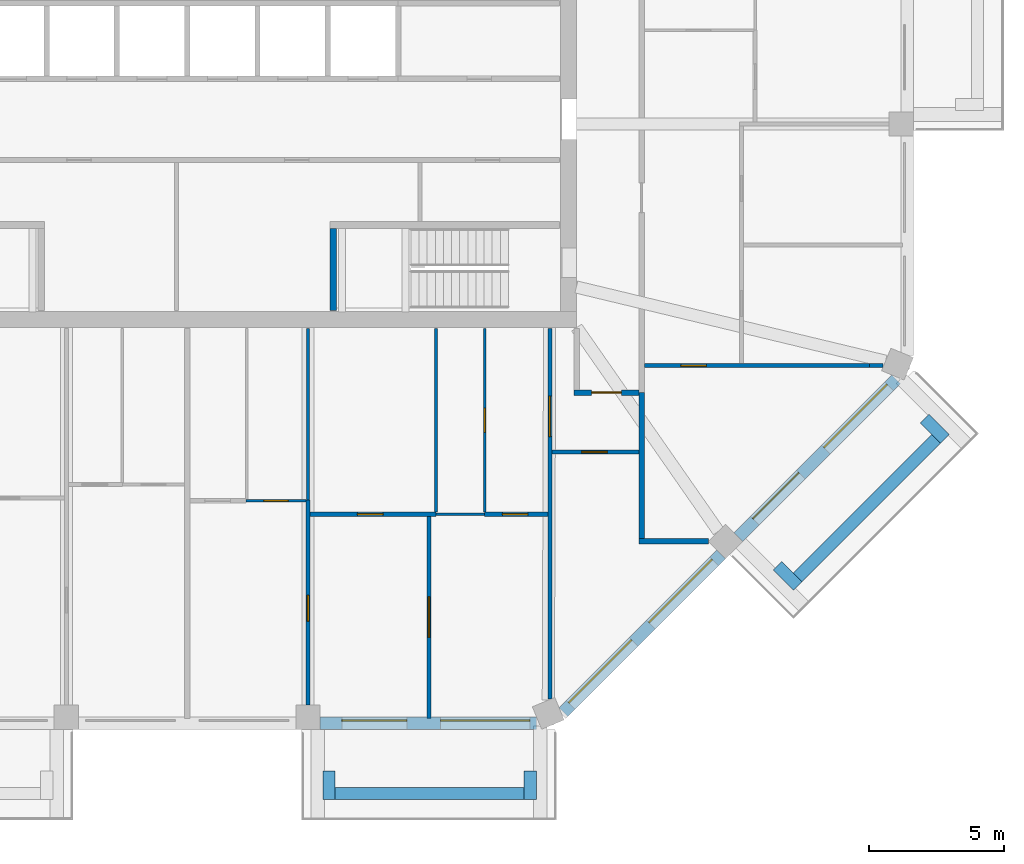
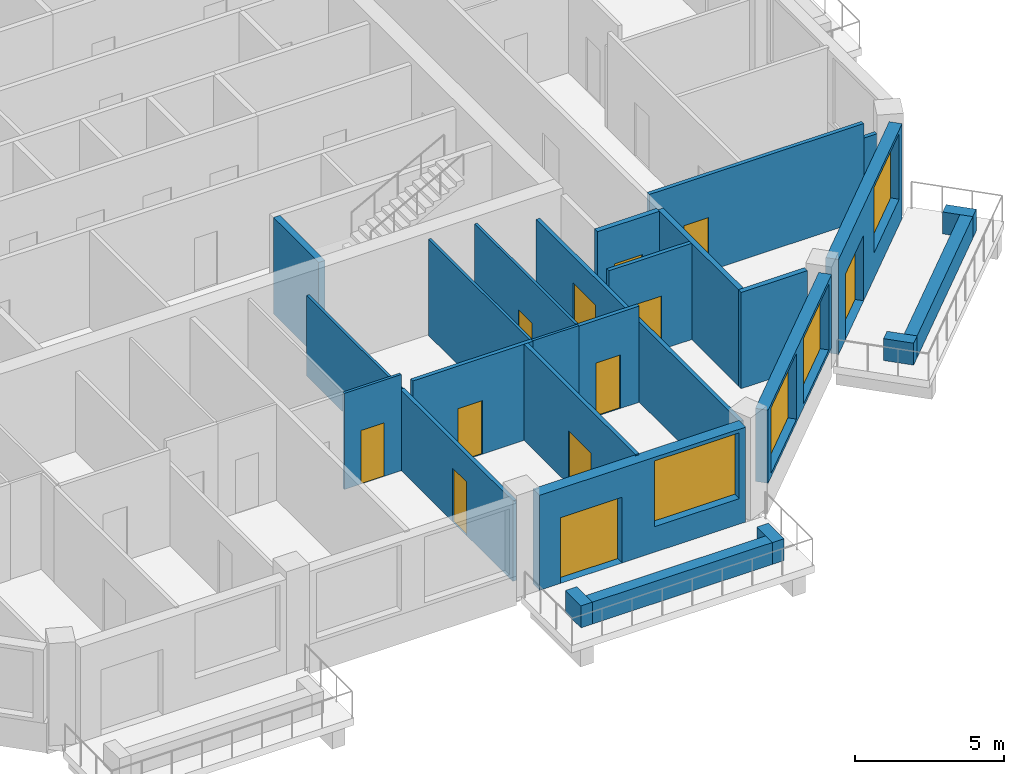
# One storey, part 5 of 13: 26 walls, 12 doors, 4 windows, 16 openings.
"""IFC4 building model written with IfcOpenShell, lengths in metres."""

from ifc_helpers import new_model, si_unit, direction, frame, frame_2d, origin, place, context, subcontext, project, spatial, rectangle, extrude, material, layer, layer_set, type_object, element, fill, save


model = new_model("IFC4")

# Units and contexts
model_context = context("Model", 3, precision=1e-05, world=origin(), true_north=direction((0.0, 1.0)))
body_context = subcontext(model_context, "Body", "Model", "MODEL_VIEW")
ifc_project = project(units=[si_unit("LENGTHUNIT", "METRE"), si_unit("AREAUNIT", "SQUARE_METRE"), si_unit("VOLUMEUNIT", "CUBIC_METRE"), si_unit("PLANEANGLEUNIT", "RADIAN"), si_unit("MASSUNIT", "GRAM", prefix="KILO")], contexts=[model_context])

# Site, building, storey
site_placement = place(None, origin())
site = spatial("IfcSite", under=ifc_project, at=site_placement, CompositionType="ELEMENT")
building_placement = place(site_placement, origin())
building = spatial("IfcBuilding", under=site, at=building_placement, Name="Msitu Wima Residences", CompositionType="ELEMENT")
storey_placement = place(building_placement, frame((0.0, 0.0, 281.10009765625)))
storey = spatial("IfcBuildingStorey", under=building, at=storey_placement, Name="L65", CompositionType="ELEMENT", Elevation=281.10009765625)

# Walls
ifc_material_1 = material(Name="Facing brick")
ifc_layer_1 = layer(ifc_material_1, 0.06494140625, Name="Facing brick")
ifc_material_2 = material(Name="Concrete C40/50", Category="concrete")
ifc_layer_2 = layer(ifc_material_2, 0.156005859375, Name="Concrete C40/50")
ifc_material_3 = material(Name="Waterproofing membrane")
ifc_layer_3 = layer(ifc_material_3, 0.00390625, Name="Waterproofing membrane")
ifc_material_4 = material(Name="Planting soil and planting")
ifc_layer_4 = layer(ifc_material_4, 0.22509765625, Name="Planting soil and planting")
ifc_layer_set_1 = layer_set([ifc_layer_1, ifc_layer_2, ifc_layer_3, ifc_layer_4], Name="Concrete C40/50")
wall_type_1 = type_object("IfcWallType", Name="Balcony planter PLANTER PL450", PredefinedType="USERDEFINED", material=ifc_layer_set_1)
wall_1_placement = place(storey_placement, frame((5.468505859375, -29.22509765625, 0.0), z_axis=(0.0, 0.0, 1.0), x_axis=(1.0, 0.0, 0.0)))
element("IfcWall", 1, at=wall_1_placement, inside=storey, type_object=wall_type_1, Name="Balcony planter S2 L65", ObjectType="PLANTER", PredefinedType="USERDEFINED", context=body_context, shape_type="SweptSolid", body=[
    extrude(rectangle(XDim=6.9873046875, YDim=0.449951171875, at=frame_2d((3.49365234375, 0.0))), origin(), (0.0, 0.0, 1.0), 0.89990234375),
])
for number, where, z_axis, x_axis, name in (
    (2, (5.24365234375, -28.39990234375, 0.0), (0.0, 0.0, 1.0), (0.0, -1.0, 0.0), "Balcony planter S2 L65"),
    (3, (12.680908203125, -28.39990234375, 0.0), (0.0, 0.0, 1.0), (0.0, -1.0, 0.0), "Balcony planter S2 L65"),
):
    element("IfcWall", number, at=place(storey_placement, frame(where, z_axis=z_axis, x_axis=x_axis)), inside=storey, type_object=wall_type_1, Name=name, ObjectType="PLANTER", PredefinedType="USERDEFINED", context=body_context, shape_type="SweptSolid", body=[
        extrude(rectangle(XDim=1.050048828125, YDim=0.449951171875, at=frame_2d((0.52490234375, 0.0))), origin(), (0.0, 0.0, 1.0), 0.89990234375),
    ])
wall_2_placement = place(storey_placement, frame((22.572265625, -21.228759765625, 0.0), z_axis=(0.0, 0.0, 1.0), x_axis=(0.707106781187, 0.707106781187, 0.0)))
element("IfcWall", 4, at=wall_2_placement, inside=storey, type_object=wall_type_1, Name="Balcony planter SE1 L65", ObjectType="PLANTER", PredefinedType="USERDEFINED", context=body_context, shape_type="SweptSolid", body=[
    extrude(rectangle(XDim=7.23828125, YDim=0.449951171875, at=frame_2d((3.619140625, 0.0))), origin(), (0.0, 0.0, 1.0), 0.89990234375),
])
for number, where, z_axis, x_axis, name in (
    (5, (21.829833984375, -20.804443359375, 0.0), (0.0, 0.0, 1.0), (0.707106781187, -0.707106781187, 0.0), "Balcony planter SE1 L65"),
    (6, (27.26611328125, -15.3681640625, 0.0), (0.0, 0.0, 1.0), (0.707223014731, -0.706990528533, 0.0), "Balcony planter SE1 L65"),
):
    element("IfcWall", number, at=place(storey_placement, frame(where, z_axis=z_axis, x_axis=x_axis)), inside=storey, type_object=wall_type_1, Name=name, ObjectType="PLANTER", PredefinedType="USERDEFINED", context=body_context, shape_type="SweptSolid", body=[
        extrude(rectangle(XDim=1.050048828125, YDim=0.449951171875, at=frame_2d((0.52490234375, 0.0))), origin(), (0.0, 0.0, 1.0), 0.89990234375),
    ])

# Wall, openings, door, window
ifc_material_5 = material(Name="Brick (red buff mix)", Category="masonry")
ifc_layer_5 = layer(ifc_material_5, 0.449951171875)
ifc_layer_set_2 = layer_set([ifc_layer_5], Name="Brick (red buff mix)")
wall_type_2 = type_object("IfcWallType", Name="Brick infill wall BW450", PredefinedType="SOLIDWALL", material=ifc_layer_set_2)
wall_3_placement = place(storey_placement, frame((4.918701171875, -26.625, 0.0), z_axis=(0.0, 0.0, 1.0), x_axis=(1.0, 0.0, 0.0)))
wall_3 = element("IfcWall", 7, at=wall_3_placement, inside=storey, type_object=wall_type_2, Name="Brick infill wall L65 S2", PredefinedType="SOLIDWALL", context=body_context, shape_type="SweptSolid", body=[
    extrude(rectangle(XDim=8.0, YDim=0.449951171875, at=frame_2d((4.0, 0.0))), origin(), (0.0, 0.0, 1.0), 3.89990234375),
])
opening_1_placement = place(wall_3_placement, frame((0.800048828125, 0.0, 0.0)))
opening_1 = element("IfcOpeningElement", 8, at=opening_1_placement, cuts=wall_3, Name="Opening D65-67.007", PredefinedType="OPENING", context=body_context, shape_type="SweptSolid", body=[
    extrude(rectangle(XDim=2.39990234375, YDim=2.699951171875, at=frame_2d((1.199951171875, 1.35009765625))), frame((0.0, 0.23486328125, 0.0), z_axis=(0.0, -1.0, 0.0), x_axis=(1.0, 0.0, 0.0)), (0.0, 0.0, 1.0), 0.469970703125),
])
opening_2_placement = place(wall_3_placement, frame((4.4501953125, 0.0, 1.050048828125)))
opening_2 = element("IfcOpeningElement", 9, at=opening_2_placement, cuts=wall_3, Name="Opening W65-67.019", PredefinedType="OPENING", context=body_context, shape_type="SweptSolid", body=[
    extrude(rectangle(XDim=3.300048828125, YDim=2.699951171875, at=frame_2d((1.64990234375, 1.35009765625))), frame((0.0, 0.23486328125, 0.0), z_axis=(0.0, -1.0, 0.0), x_axis=(1.0, 0.0, 0.0)), (0.0, 0.0, 1.0), 0.469970703125),
])
ifc_material_6 = material(Name="Anodised aluminium, bronze finish, clear low-emissivity double glazing", Category="aluminium")
door_type_1 = type_object("IfcDoorType", Name="Balcony door D2400x2700", OperationType="SLIDING_TO_LEFT", PredefinedType="DOOR", material=ifc_material_6)
door_1_placement = place(opening_1_placement, origin())
door_1 = element("IfcDoor", 10, at=door_1_placement, inside=storey, type_object=door_type_1, Name="Balcony door L65 S2", OperationType="SINGLE_SWING_LEFT", OverallHeight=2.699951171875, OverallWidth=2.39990234375, PredefinedType="DOOR", context=body_context, shape_type="SweptSolid", body=[
    extrude(rectangle(XDim=2.39990234375, YDim=2.699951171875, at=frame_2d((1.199951171875, 1.35009765625))), frame((0.0, 0.1298828125, 0.0), z_axis=(0.0, -1.0, 0.0), x_axis=(1.0, 0.0, 0.0)), (0.0, 0.0, 1.0), 0.050048828125),
])
fill(opening_1, door_1)
window_type = type_object("IfcWindowType", Name="Window W3300x2700", PartitioningType="DOUBLE_PANEL_VERTICAL", PredefinedType="WINDOW", material=ifc_material_6)
window_1_placement = place(opening_2_placement, origin())
window_1 = element("IfcWindow", 11, at=window_1_placement, inside=storey, type_object=window_type, Name="Window L65 S2.2", OverallHeight=2.699951171875, OverallWidth=3.300048828125, PartitioningType="SINGLE_PANEL", PredefinedType="WINDOW", context=body_context, shape_type="SweptSolid", body=[
    extrude(rectangle(XDim=3.300048828125, YDim=2.699951171875, at=frame_2d((1.64990234375, 1.35009765625))), frame((0.0, 0.135009765625, 0.0), z_axis=(0.0, -1.0, 0.0), x_axis=(1.0, 0.0, 0.0)), (0.0, 0.0, 1.0), 0.06005859375),
])
fill(opening_2, window_1)

# Wall, openings, windows
wall_4_placement = place(storey_placement, frame((13.909423828125, -26.214599609375, 0.89990234375), z_axis=(0.0, 0.0, 1.0), x_axis=(0.707106781187, 0.707106781187, 0.0)))
wall_4 = element("IfcWall", 12, at=wall_4_placement, inside=storey, type_object=wall_type_2, Name="Brick infill wall L65 SE0", PredefinedType="SOLIDWALL", context=body_context, shape_type="SweptSolid", body=[
    extrude(rectangle(XDim=8.251220703125, YDim=0.449951171875, at=frame_2d((4.12548828125, 0.0))), origin(), (0.0, 0.0, 1.0), 3.0),
])
opening_3_placement = place(wall_4_placement, frame((0.37548828125, 0.0, 0.14990234375)))
opening_3 = element("IfcOpeningElement", 13, at=opening_3_placement, cuts=wall_4, Name="Opening W65-67.020", PredefinedType="OPENING", context=body_context, shape_type="SweptSolid", body=[
    extrude(rectangle(XDim=3.300048828125, YDim=2.699951171875, at=frame_2d((1.64990234375, 1.35009765625))), frame((0.0, 0.23486328125, 0.0), z_axis=(0.0, -1.0, 0.0), x_axis=(1.0, 0.0, 0.0)), (0.0, 0.0, 1.0), 0.469970703125),
])
opening_4_placement = place(wall_4_placement, frame((4.57568359375, 0.0, 0.14990234375)))
opening_4 = element("IfcOpeningElement", 14, at=opening_4_placement, cuts=wall_4, Name="Opening W65-67.021", PredefinedType="OPENING", context=body_context, shape_type="SweptSolid", body=[
    extrude(rectangle(XDim=3.300048828125, YDim=2.699951171875, at=frame_2d((1.64990234375, 1.35009765625))), frame((0.0, 0.23486328125, 0.0), z_axis=(0.0, -1.0, 0.0), x_axis=(1.0, 0.0, 0.0)), (0.0, 0.0, 1.0), 0.469970703125),
])
window_2_placement = place(opening_3_placement, origin())
window_2 = element("IfcWindow", 15, at=window_2_placement, inside=storey, type_object=window_type, Name="Window L65 SE0.1", OverallHeight=2.699951171875, OverallWidth=3.300048828125, PartitioningType="SINGLE_PANEL", PredefinedType="WINDOW", context=body_context, shape_type="SweptSolid", body=[
    extrude(rectangle(XDim=3.300048828125, YDim=2.699951171875, at=frame_2d((1.64990234375, 1.35009765625))), frame((0.0, 0.135009765625, 0.0), z_axis=(0.0, -1.0, 0.0), x_axis=(1.0, 0.0, 0.0)), (0.0, 0.0, 1.0), 0.06005859375),
])
fill(opening_3, window_2)
window_3_placement = place(opening_4_placement, origin())
window_3 = element("IfcWindow", 16, at=window_3_placement, inside=storey, type_object=window_type, Name="Window L65 SE0.2", OverallHeight=2.699951171875, OverallWidth=3.300048828125, PartitioningType="SINGLE_PANEL", PredefinedType="WINDOW", context=body_context, shape_type="SweptSolid", body=[
    extrude(rectangle(XDim=3.300048828125, YDim=2.699951171875, at=frame_2d((1.64990234375, 1.35009765625))), frame((0.0, 0.135009765625, 0.0), z_axis=(0.0, -1.0, 0.0), x_axis=(1.0, 0.0, 0.0)), (0.0, 0.0, 1.0), 0.06005859375),
])
fill(opening_4, window_3)

# Wall, openings, door, window
wall_5_placement = place(storey_placement, frame((20.380126953125, -19.743896484375, 0.0), z_axis=(0.0, 0.0, 1.0), x_axis=(0.707106781187, 0.707106781187, 0.0)))
wall_5 = element("IfcWall", 17, at=wall_5_placement, inside=storey, type_object=wall_type_2, Name="Brick infill wall L65 SE1", PredefinedType="SOLIDWALL", context=body_context, shape_type="SweptSolid", body=[
    extrude(rectangle(XDim=8.251220703125, YDim=0.449951171875, at=frame_2d((4.12548828125, 0.0))), origin(), (0.0, 0.0, 1.0), 3.89990234375),
])
opening_5_placement = place(wall_5_placement, frame((0.86279296875, 0.0, 0.0)))
opening_5 = element("IfcOpeningElement", 18, at=opening_5_placement, cuts=wall_5, Name="Opening D65-67.008", PredefinedType="OPENING", context=body_context, shape_type="SweptSolid", body=[
    extrude(rectangle(XDim=2.39990234375, YDim=2.699951171875, at=frame_2d((1.199951171875, 1.35009765625))), frame((0.0, 0.23486328125, 0.0), z_axis=(0.0, -1.0, 0.0), x_axis=(1.0, 0.0, 0.0)), (0.0, 0.0, 1.0), 0.469970703125),
])
opening_6_placement = place(wall_5_placement, frame((4.57568359375, 0.0, 1.050048828125)))
opening_6 = element("IfcOpeningElement", 19, at=opening_6_placement, cuts=wall_5, Name="Opening W65-67.022", PredefinedType="OPENING", context=body_context, shape_type="SweptSolid", body=[
    extrude(rectangle(XDim=3.300048828125, YDim=2.699951171875, at=frame_2d((1.64990234375, 1.35009765625))), frame((0.0, 0.23486328125, 0.0), z_axis=(0.0, -1.0, 0.0), x_axis=(1.0, 0.0, 0.0)), (0.0, 0.0, 1.0), 0.469970703125),
])
door_2_placement = place(opening_5_placement, origin())
door_2 = element("IfcDoor", 20, at=door_2_placement, inside=storey, type_object=door_type_1, Name="Balcony door L65 SE1", OperationType="SINGLE_SWING_LEFT", OverallHeight=2.699951171875, OverallWidth=2.39990234375, PredefinedType="DOOR", context=body_context, shape_type="SweptSolid", body=[
    extrude(rectangle(XDim=2.39990234375, YDim=2.699951171875, at=frame_2d((1.199951171875, 1.35009765625))), frame((0.0, 0.1298828125, 0.0), z_axis=(0.0, -1.0, 0.0), x_axis=(1.0, 0.0, 0.0)), (0.0, 0.0, 1.0), 0.050048828125),
])
fill(opening_5, door_2)
window_4_placement = place(opening_6_placement, origin())
window_4 = element("IfcWindow", 21, at=window_4_placement, inside=storey, type_object=window_type, Name="Window L65 SE1.2", OverallHeight=2.699951171875, OverallWidth=3.300048828125, PartitioningType="SINGLE_PANEL", PredefinedType="WINDOW", context=body_context, shape_type="SweptSolid", body=[
    extrude(rectangle(XDim=3.300048828125, YDim=2.699951171875, at=frame_2d((1.64990234375, 1.35009765625))), frame((0.0, 0.135009765625, 0.0), z_axis=(0.0, -1.0, 0.0), x_axis=(1.0, 0.0, 0.0)), (0.0, 0.0, 1.0), 0.06005859375),
])
fill(opening_6, window_4)

# Wall, opening, door
ifc_material_7 = material(Name="Plaster")
ifc_layer_6 = layer(ifc_material_7, 0.011962890625, Name="Plaster")
ifc_material_8 = material(Name="Concrete blockwork", Category="masonry")
ifc_layer_7 = layer(ifc_material_8, 0.176025390625, Name="Concrete blockwork")
ifc_layer_8 = layer(ifc_material_7, 0.011962890625, Name="Plaster")
ifc_layer_set_3 = layer_set([ifc_layer_6, ifc_layer_7, ifc_layer_8], Name="Concrete blockwork")
wall_type_3 = type_object("IfcWallType", Name="Corridor wall FW200", PredefinedType="PARTITIONING", material=ifc_layer_set_3)
wall_6_placement = place(storey_placement, frame((14.300048828125, -14.39990234375, 0.0), z_axis=(0.0, 0.0, 1.0), x_axis=(1.0, 0.0, 0.0)))
wall_6 = element("IfcWall", 22, at=wall_6_placement, inside=storey, type_object=wall_type_3, Name="Corridor wall", PredefinedType="PARTITIONING", context=body_context, shape_type="SweptSolid", body=[
    extrude(rectangle(XDim=2.39990234375, YDim=0.199951171875, at=frame_2d((1.199951171875, 0.0))), origin(), (0.0, 0.0, 1.0), 3.949951171875),
])
opening_7_placement = place(wall_6_placement, frame((0.64990234375, 0.0, 0.0)))
opening_7 = element("IfcOpeningElement", 23, at=opening_7_placement, cuts=wall_6, Name="Opening D65-67.064", PredefinedType="OPENING", context=body_context, shape_type="SweptSolid", body=[
    extrude(rectangle(XDim=1.10009765625, YDim=2.39990234375, at=frame_2d((0.550048828125, 1.199951171875))), frame((0.0, 0.10986328125, 0.0), z_axis=(0.0, -1.0, 0.0), x_axis=(1.0, 0.0, 0.0)), (0.0, 0.0, 1.0), 0.219970703125),
])
ifc_material_9 = material(Name="Timber flush door, fire resisting, self-closing", Category="wood")
door_type_2 = type_object("IfcDoorType", Name="Flat entrance door D01 1100x2400", OperationType="SINGLE_SWING_LEFT", PredefinedType="DOOR", material=ifc_material_9)
door_3_placement = place(opening_7_placement, origin())
door_3 = element("IfcDoor", 24, at=door_3_placement, inside=storey, type_object=door_type_2, Name="Flat entrance door", OperationType="SINGLE_SWING_LEFT", OverallHeight=2.39990234375, OverallWidth=1.10009765625, PredefinedType="DOOR", context=body_context, shape_type="SweptSolid", body=[
    extrude(rectangle(XDim=1.10009765625, YDim=2.39990234375, at=frame_2d((0.550048828125, 1.199951171875))), frame((0.0, 0.02490234375, 0.0), z_axis=(0.0, -1.0, 0.0), x_axis=(1.0, 0.0, 0.0)), (0.0, 0.0, 1.0), 0.050048828125),
])
fill(opening_7, door_3)

ifc_layer_9 = layer(ifc_material_7, 0.011962890625, Name="Plaster")
ifc_layer_10 = layer(ifc_material_8, 0.1259765625, Name="Concrete blockwork")
ifc_layer_11 = layer(ifc_material_7, 0.011962890625, Name="Plaster")
ifc_layer_set_4 = layer_set([ifc_layer_9, ifc_layer_10, ifc_layer_11], Name="Concrete blockwork")
wall_type_4 = type_object("IfcWallType", Name="Partition PW150", PredefinedType="PARTITIONING", material=ifc_layer_set_4)
wall_7_placement = place(storey_placement, frame((4.46875, -25.949951171875, 0.0), z_axis=(0.0, 0.0, 1.0), x_axis=(0.0, 1.0, 0.0)))
wall_7 = element("IfcWall", 25, at=wall_7_placement, inside=storey, type_object=wall_type_4, Name="Partition", PredefinedType="PARTITIONING", context=body_context, shape_type="SweptSolid", body=[
    extrude(rectangle(XDim=7.570068359375, YDim=0.14990234375, at=frame_2d((3.78515625, 0.0))), origin(), (0.0, 0.0, 1.0), 3.2998046875),
])
opening_8_placement = place(wall_7_placement, frame((3.10009765625, 0.0, 0.0)))
opening_8 = element("IfcOpeningElement", 26, at=opening_8_placement, cuts=wall_7, Name="Opening D65-67.071", PredefinedType="OPENING", context=body_context, shape_type="SweptSolid", body=[
    extrude(rectangle(XDim=0.949951171875, YDim=2.199951171875, at=frame_2d((0.47509765625, 1.10009765625))), frame((0.0, 0.0849609375, 0.0), z_axis=(0.0, -1.0, 0.0), x_axis=(1.0, 0.0, 0.0)), (0.0, 0.0, 1.0), 0.169921875),
])
ifc_material_10 = material(Name="Timber flush door", Category="wood")
door_type_3 = type_object("IfcDoorType", Name="Room door D12 950x2200", OperationType="SINGLE_SWING_LEFT", PredefinedType="DOOR", material=ifc_material_10)
door_4_placement = place(opening_8_placement, origin())
door_4 = element("IfcDoor", 27, at=door_4_placement, inside=storey, type_object=door_type_3, Name="Room door", OperationType="SINGLE_SWING_LEFT", OverallHeight=2.199951171875, OverallWidth=0.949951171875, PredefinedType="DOOR", context=body_context, shape_type="SweptSolid", body=[
    extrude(rectangle(XDim=0.949951171875, YDim=2.199951171875, at=frame_2d((0.47509765625, 1.10009765625))), frame((0.0, 0.02490234375, 0.0), z_axis=(0.0, -1.0, 0.0), x_axis=(1.0, 0.0, 0.0)), (0.0, 0.0, 1.0), 0.050048828125),
])
fill(opening_8, door_4)

wall_8_placement = place(storey_placement, frame((4.543701171875, -18.89990234375, 0.0), z_axis=(0.0, 0.0, 1.0), x_axis=(1.0, 0.0, 0.0)))
wall_8 = element("IfcWall", 28, at=wall_8_placement, inside=storey, type_object=wall_type_4, Name="Partition", PredefinedType="PARTITIONING", context=body_context, shape_type="SweptSolid", body=[
    extrude(rectangle(XDim=4.65625, YDim=0.14990234375, at=frame_2d((2.328125, 0.0))), origin(), (0.0, 0.0, 1.0), 3.949951171875),
])
opening_9_placement = place(wall_8_placement, frame((1.75, 0.0, 0.0)))
opening_9 = element("IfcOpeningElement", 29, at=opening_9_placement, cuts=wall_8, Name="Opening D65-67.070", PredefinedType="OPENING", context=body_context, shape_type="SweptSolid", body=[
    extrude(rectangle(XDim=0.949951171875, YDim=2.199951171875, at=frame_2d((0.47509765625, 1.10009765625))), frame((0.0, 0.0849609375, 0.0), z_axis=(0.0, -1.0, 0.0), x_axis=(1.0, 0.0, 0.0)), (0.0, 0.0, 1.0), 0.169921875),
])
door_5_placement = place(opening_9_placement, origin())
door_5 = element("IfcDoor", 30, at=door_5_placement, inside=storey, type_object=door_type_3, Name="Room door", OperationType="SINGLE_SWING_LEFT", OverallHeight=2.199951171875, OverallWidth=0.949951171875, PredefinedType="DOOR", context=body_context, shape_type="SweptSolid", body=[
    extrude(rectangle(XDim=0.949951171875, YDim=2.199951171875, at=frame_2d((0.47509765625, 1.10009765625))), frame((0.0, 0.02490234375, 0.0), z_axis=(0.0, -1.0, 0.0), x_axis=(1.0, 0.0, 0.0)), (0.0, 0.0, 1.0), 0.050048828125),
])
fill(opening_9, door_5)

wall_9_placement = place(storey_placement, frame((8.937255859375, -26.455078125, 0.0), z_axis=(0.0, 0.0, 1.0), x_axis=(0.0, 1.0, 0.0)))
wall_9 = element("IfcWall", 31, at=wall_9_placement, inside=storey, type_object=wall_type_4, Name="Partition", PredefinedType="PARTITIONING", context=body_context, shape_type="SweptSolid", body=[
    extrude(rectangle(XDim=7.47998046875, YDim=0.14990234375, at=frame_2d((3.739990234375, 0.0))), origin(), (0.0, 0.0, 1.0), 3.949951171875),
])
opening_10_placement = place(wall_9_placement, frame((3.0, 0.0, 0.0)))
opening_10 = element("IfcOpeningElement", 32, at=opening_10_placement, cuts=wall_9, Name="Opening D65-67.069", PredefinedType="OPENING", context=body_context, shape_type="SweptSolid", body=[
    extrude(rectangle(XDim=1.5, YDim=2.199951171875, at=frame_2d((0.75, 1.10009765625))), frame((0.0, 0.0849609375, 0.0), z_axis=(0.0, -1.0, 0.0), x_axis=(1.0, 0.0, 0.0)), (0.0, 0.0, 1.0), 0.169921875),
])
ifc_material_11 = material(Name="Timber double door", Category="wood")
door_type_4 = type_object("IfcDoorType", Name="Double door D04 1500x2200", OperationType="DOUBLE_DOOR_SINGLE_SWING", PredefinedType="DOOR", material=ifc_material_11)
door_6_placement = place(opening_10_placement, origin())
door_6 = element("IfcDoor", 33, at=door_6_placement, inside=storey, type_object=door_type_4, Name="Double door", OperationType="DOUBLE_DOOR_SINGLE_SWING", OverallHeight=2.199951171875, OverallWidth=1.5, PredefinedType="DOOR", context=body_context, shape_type="SweptSolid", body=[
    extrude(rectangle(XDim=1.5, YDim=2.199951171875, at=frame_2d((0.75, 1.10009765625))), frame((0.0, 0.02490234375, 0.0), z_axis=(0.0, -1.0, 0.0), x_axis=(1.0, 0.0, 0.0)), (0.0, 0.0, 1.0), 0.050048828125),
])
fill(opening_10, door_6)

wall_10_placement = place(storey_placement, frame((11.0, -18.89990234375, 0.0), z_axis=(0.0, 0.0, 1.0), x_axis=(1.0, 0.0, 0.0)))
wall_10 = element("IfcWall", 34, at=wall_10_placement, inside=storey, type_object=wall_type_4, Name="Partition", PredefinedType="PARTITIONING", context=body_context, shape_type="SweptSolid", body=[
    extrude(rectangle(XDim=2.330810546875, YDim=0.14990234375, at=frame_2d((1.16552734375, 0.0))), origin(), (0.0, 0.0, 1.0), 3.949951171875),
])
opening_11_placement = place(wall_10_placement, frame((0.64990234375, 0.0, 0.0)))
opening_11 = element("IfcOpeningElement", 35, at=opening_11_placement, cuts=wall_10, Name="Opening D65-67.066", PredefinedType="OPENING", context=body_context, shape_type="SweptSolid", body=[
    extrude(rectangle(XDim=0.949951171875, YDim=2.199951171875, at=frame_2d((0.47509765625, 1.10009765625))), frame((0.0, 0.0849609375, 0.0), z_axis=(0.0, -1.0, 0.0), x_axis=(1.0, 0.0, 0.0)), (0.0, 0.0, 1.0), 0.169921875),
])
door_7_placement = place(opening_11_placement, origin())
door_7 = element("IfcDoor", 36, at=door_7_placement, inside=storey, type_object=door_type_3, Name="Room door", OperationType="SINGLE_SWING_LEFT", OverallHeight=2.199951171875, OverallWidth=0.949951171875, PredefinedType="DOOR", context=body_context, shape_type="SweptSolid", body=[
    extrude(rectangle(XDim=0.949951171875, YDim=2.199951171875, at=frame_2d((0.47509765625, 1.10009765625))), frame((0.0, 0.02490234375, 0.0), z_axis=(0.0, -1.0, 0.0), x_axis=(1.0, 0.0, 0.0)), (0.0, 0.0, 1.0), 0.050048828125),
])
fill(opening_11, door_7)

wall_11_placement = place(storey_placement, frame((13.406005859375, -25.731201171875, 0.0), z_axis=(0.0, 0.0, 1.0), x_axis=(0.0, 1.0, 0.0)))
wall_11 = element("IfcWall", 37, at=wall_11_placement, inside=storey, type_object=wall_type_4, Name="Partition", PredefinedType="PARTITIONING", context=body_context, shape_type="SweptSolid", body=[
    extrude(rectangle(XDim=13.701171875, YDim=0.14990234375, at=frame_2d((6.8505859375, 0.0))), origin(), (0.0, 0.0, 1.0), 3.2998046875),
])
opening_12_placement = place(wall_11_placement, frame((9.699951171875, 0.0, 0.0)))
opening_12 = element("IfcOpeningElement", 38, at=opening_12_placement, cuts=wall_11, Name="Opening D65-67.065", PredefinedType="OPENING", context=body_context, shape_type="SweptSolid", body=[
    extrude(rectangle(XDim=1.5, YDim=2.199951171875, at=frame_2d((0.75, 1.10009765625))), frame((0.0, 0.0849609375, 0.0), z_axis=(0.0, -1.0, 0.0), x_axis=(1.0, 0.0, 0.0)), (0.0, 0.0, 1.0), 0.169921875),
])
door_8_placement = place(opening_12_placement, origin())
door_8 = element("IfcDoor", 39, at=door_8_placement, inside=storey, type_object=door_type_4, Name="Double door", OperationType="DOUBLE_DOOR_SINGLE_SWING", OverallHeight=2.199951171875, OverallWidth=1.5, PredefinedType="DOOR", context=body_context, shape_type="SweptSolid", body=[
    extrude(rectangle(XDim=1.5, YDim=2.199951171875, at=frame_2d((0.75, 1.10009765625))), frame((0.0, 0.02490234375, 0.0), z_axis=(0.0, -1.0, 0.0), x_axis=(1.0, 0.0, 0.0)), (0.0, 0.0, 1.0), 0.050048828125),
])
fill(opening_12, door_8)

wall_12_placement = place(storey_placement, frame((13.48095703125, -16.60009765625, 0.0), z_axis=(0.0, 0.0, 1.0), x_axis=(1.0, 0.0, 0.0)))
wall_12 = element("IfcWall", 40, at=wall_12_placement, inside=storey, type_object=wall_type_4, Name="Partition", PredefinedType="PARTITIONING", context=body_context, shape_type="SweptSolid", body=[
    extrude(rectangle(XDim=3.218994140625, YDim=0.14990234375, at=frame_2d((1.609375, 0.0))), origin(), (0.0, 0.0, 1.0), 3.949951171875),
])
opening_13_placement = place(wall_12_placement, frame((1.10009765625, 0.0, 0.0)))
opening_13 = element("IfcOpeningElement", 41, at=opening_13_placement, cuts=wall_12, Name="Opening D65-67.067", PredefinedType="OPENING", context=body_context, shape_type="SweptSolid", body=[
    extrude(rectangle(XDim=0.949951171875, YDim=2.199951171875, at=frame_2d((0.47509765625, 1.10009765625))), frame((0.0, 0.0849609375, 0.0), z_axis=(0.0, -1.0, 0.0), x_axis=(1.0, 0.0, 0.0)), (0.0, 0.0, 1.0), 0.169921875),
])
door_9_placement = place(opening_13_placement, origin())
door_9 = element("IfcDoor", 42, at=door_9_placement, inside=storey, type_object=door_type_3, Name="Room door", OperationType="SINGLE_SWING_RIGHT", OverallHeight=2.199951171875, OverallWidth=0.949951171875, PredefinedType="DOOR", context=body_context, shape_type="SweptSolid", body=[
    extrude(rectangle(XDim=0.949951171875, YDim=2.199951171875, at=frame_2d((0.47509765625, 1.10009765625))), frame((0.0, 0.02490234375, 0.0), z_axis=(0.0, -1.0, 0.0), x_axis=(1.0, 0.0, 0.0)), (0.0, 0.0, 1.0), 0.050048828125),
])
fill(opening_13, door_9)

wall_13_placement = place(storey_placement, frame((16.89990234375, -13.406005859375, 0.0), z_axis=(0.0, 0.0, 1.0), x_axis=(1.0, 0.0, 0.0)))
wall_13 = element("IfcWall", 43, at=wall_13_placement, inside=storey, type_object=wall_type_4, Name="Partition", PredefinedType="PARTITIONING", context=body_context, shape_type="SweptSolid", body=[
    extrude(rectangle(XDim=8.32421875, YDim=0.14990234375, at=frame_2d((4.162109375, 0.0))), origin(), (0.0, 0.0, 1.0), 3.949951171875),
])
opening_14_placement = place(wall_13_placement, frame((1.35009765625, 0.0, 0.0)))
opening_14 = element("IfcOpeningElement", 44, at=opening_14_placement, cuts=wall_13, Name="Opening D65-67.012", PredefinedType="OPENING", context=body_context, shape_type="SweptSolid", body=[
    extrude(rectangle(XDim=0.949951171875, YDim=2.199951171875, at=frame_2d((0.47509765625, 1.10009765625))), frame((0.0, 0.0849609375, 0.0), z_axis=(0.0, -1.0, 0.0), x_axis=(1.0, 0.0, 0.0)), (0.0, 0.0, 1.0), 0.169921875),
])
door_10_placement = place(opening_14_placement, origin())
door_10 = element("IfcDoor", 45, at=door_10_placement, inside=storey, type_object=door_type_3, Name="Room door", OperationType="SINGLE_SWING_RIGHT", OverallHeight=2.199951171875, OverallWidth=0.949951171875, PredefinedType="DOOR", context=body_context, shape_type="SweptSolid", body=[
    extrude(rectangle(XDim=0.949951171875, YDim=2.199951171875, at=frame_2d((0.47509765625, 1.10009765625))), frame((0.0, 0.02490234375, 0.0), z_axis=(0.0, -1.0, 0.0), x_axis=(1.0, 0.0, 0.0)), (0.0, 0.0, 1.0), 0.050048828125),
])
fill(opening_14, door_10)

# Walls
wall_14_placement = place(storey_placement, frame((25.22412109375, -13.406005859375, 0.0), z_axis=(0.0, 0.0, 1.0), x_axis=(1.0, 0.0, 0.0)))
element("IfcWall", 46, at=wall_14_placement, inside=storey, type_object=wall_type_4, Name="Partition", PredefinedType="PARTITIONING", context=body_context, shape_type="SweptSolid", body=[
    extrude(rectangle(XDim=0.507080078125, YDim=0.14990234375, at=frame_2d((0.25341796875, 0.0))), origin(), (0.0, 0.0, 1.0), 3.349853515625),
])
ifc_layer_12 = layer(ifc_material_7, 0.011962890625, Name="Plaster")
ifc_material_12 = material(Name="Dense concrete blockwork", Category="masonry")
ifc_layer_13 = layer(ifc_material_12, 0.176025390625, Name="Dense concrete blockwork")
ifc_layer_14 = layer(ifc_material_7, 0.011962890625, Name="Plaster")
ifc_layer_set_5 = layer_set([ifc_layer_12, ifc_layer_13, ifc_layer_14], Name="Dense concrete blockwork")
wall_type_5 = type_object("IfcWallType", Name="Party wall PW200", PredefinedType="PARTITIONING", material=ifc_layer_set_5)
wall_15_placement = place(storey_placement, frame((16.800048828125, -19.802978515625, 0.0), z_axis=(0.0, 0.0, 1.0), x_axis=(0.0, 1.0, 0.0)))
element("IfcWall", 47, at=wall_15_placement, inside=storey, type_object=wall_type_5, Name="Party wall", PredefinedType="PARTITIONING", context=body_context, shape_type="SweptSolid", body=[
    extrude(rectangle(XDim=5.403076171875, YDim=0.199951171875, at=frame_2d((2.70166015625, 0.0))), origin(), (0.0, 0.0, 1.0), 3.949951171875),
])
wall_16_placement = place(storey_placement, frame((16.699951171875, -19.90283203125, 0.0), z_axis=(0.0, 0.0, 1.0), x_axis=(1.0, 0.0, 0.0)))
element("IfcWall", 48, at=wall_16_placement, inside=storey, type_object=wall_type_5, Name="Party wall", PredefinedType="PARTITIONING", context=body_context, shape_type="SweptSolid", body=[
    extrude(rectangle(XDim=2.566650390625, YDim=0.199951171875, at=frame_2d((1.283203125, 0.0))), origin(), (0.0, 0.0, 1.0), 3.949951171875),
])
ifc_material_13 = material(Name="Concrete C50/60", Category="concrete")
ifc_layer_15 = layer(ifc_material_13, 0.25)
ifc_layer_set_6 = layer_set([ifc_layer_15], Name="Concrete C50/60")
wall_type_6 = type_object("IfcWallType", Name="Stair enclosure wall SW250", PredefinedType="SHEAR", material=ifc_layer_set_6)
wall_17_placement = place(storey_placement, frame((5.39990234375, -11.3701171875, 0.0), z_axis=(0.0, 0.0, 1.0), x_axis=(0.0, 1.0, 0.0)))
element("IfcWall", 49, at=wall_17_placement, inside=storey, type_object=wall_type_6, Name="Stair enclosure wall", PredefinedType="SHEAR", context=body_context, shape_type="SweptSolid", body=[
    extrude(rectangle(XDim=3.045166015625, YDim=0.25, at=frame_2d((1.5224609375, 0.0))), origin(), (0.0, 0.0, 1.0), 3.949951171875),
])

# Wall, opening, door
ifc_material_14 = material(Name="Ceramic tiles")
ifc_layer_16 = layer(ifc_material_14, 0.008056640625, Name="Ceramic tiles")
ifc_material_15 = material(Name="Moisture-resistant board")
ifc_layer_17 = layer(ifc_material_15, 0.012451171875, Name="Moisture-resistant board")
ifc_material_16 = material(Name="Light-gauge stud framing with mineral wool")
ifc_layer_18 = layer(ifc_material_16, 0.06689453125, Name="Light-gauge stud framing with mineral wool")
ifc_layer_19 = layer(ifc_material_15, 0.012451171875, Name="Moisture-resistant board")
ifc_layer_set_7 = layer_set([ifc_layer_16, ifc_layer_17, ifc_layer_18, ifc_layer_19], Name="Light-gauge stud framing with mineral wool")
wall_type_7 = type_object("IfcWallType", Name="Wet wall PW100", PredefinedType="PARTITIONING", material=ifc_layer_set_7)
wall_18_placement = place(storey_placement, frame((2.179931640625, -18.39990234375, 0.0), z_axis=(0.0, 0.0, 1.0), x_axis=(1.0, 0.0, 0.0)))
wall_18 = element("IfcWall", 50, at=wall_18_placement, inside=storey, type_object=wall_type_7, Name="Wet wall", PredefinedType="PARTITIONING", context=body_context, shape_type="SweptSolid", body=[
    extrude(rectangle(XDim=2.213623046875, YDim=0.10009765625, at=frame_2d((1.10693359375, 0.0))), origin(), (0.0, 0.0, 1.0), 3.949951171875),
])
opening_15_placement = place(wall_18_placement, frame((0.64990234375, 0.0, 0.0)))
opening_15 = element("IfcOpeningElement", 51, at=opening_15_placement, cuts=wall_18, Name="Opening D65-67.073", PredefinedType="OPENING", context=body_context, shape_type="SweptSolid", body=[
    extrude(rectangle(XDim=0.89990234375, YDim=2.199951171875, at=frame_2d((0.449951171875, 1.10009765625))), frame((0.0, 0.06005859375, 0.0), z_axis=(0.0, -1.0, 0.0), x_axis=(1.0, 0.0, 0.0)), (0.0, 0.0, 1.0), 0.1201171875),
])
ifc_material_17 = material(Name="Timber flush door, moisture resistant", Category="wood")
door_type_5 = type_object("IfcDoorType", Name="Bathroom door D03 900x2200", OperationType="SINGLE_SWING_LEFT", PredefinedType="DOOR", material=ifc_material_17)
door_11_placement = place(opening_15_placement, origin())
door_11 = element("IfcDoor", 52, at=door_11_placement, inside=storey, type_object=door_type_5, Name="Bathroom door", OperationType="SINGLE_SWING_LEFT", OverallHeight=2.199951171875, OverallWidth=0.89990234375, PredefinedType="DOOR", context=body_context, shape_type="SweptSolid", body=[
    extrude(rectangle(XDim=0.89990234375, YDim=2.199951171875, at=frame_2d((0.449951171875, 1.10009765625))), frame((0.0, 0.02490234375, 0.0), z_axis=(0.0, -1.0, 0.0), x_axis=(1.0, 0.0, 0.0)), (0.0, 0.0, 1.0), 0.050048828125),
])
fill(opening_15, door_11)

# Walls
wall_19_placement = place(storey_placement, frame((4.46875, -18.3798828125, 0.0), z_axis=(0.0, 0.0, 1.0), x_axis=(0.0, 1.0, 0.0)))
element("IfcWall", 53, at=wall_19_placement, inside=storey, type_object=wall_type_7, Name="Wet wall", PredefinedType="PARTITIONING", context=body_context, shape_type="SweptSolid", body=[
    extrude(rectangle(XDim=6.349853515625, YDim=0.10009765625, at=frame_2d((3.1748046875, 0.0))), origin(), (0.0, 0.0, 1.0), 3.2998046875),
])
wall_20_placement = place(storey_placement, frame((9.199951171875, -18.89990234375, 0.0), z_axis=(0.0, 0.0, 1.0), x_axis=(1.0, 0.0, 0.0)))
element("IfcWall", 54, at=wall_20_placement, inside=storey, type_object=wall_type_7, Name="Wet wall", PredefinedType="PARTITIONING", context=body_context, shape_type="SweptSolid", body=[
    extrude(rectangle(XDim=1.800048828125, YDim=0.10009765625, at=frame_2d((0.89990234375, 0.0))), origin(), (0.0, 0.0, 1.0), 3.949951171875),
])
wall_21_placement = place(storey_placement, frame((9.199951171875, -18.824951171875, 0.0), z_axis=(0.0, 0.0, 1.0), x_axis=(0.0, 1.0, 0.0)))
element("IfcWall", 55, at=wall_21_placement, inside=storey, type_object=wall_type_7, Name="Wet wall", PredefinedType="PARTITIONING", context=body_context, shape_type="SweptSolid", body=[
    extrude(rectangle(XDim=6.794921875, YDim=0.10009765625, at=frame_2d((3.3974609375, 0.0))), origin(), (0.0, 0.0, 1.0), 3.949951171875),
])

# Wall, opening, door
wall_22_placement = place(storey_placement, frame((11.0, -18.824951171875, 0.0), z_axis=(0.0, 0.0, 1.0), x_axis=(0.0, 1.0, 0.0)))
wall_22 = element("IfcWall", 56, at=wall_22_placement, inside=storey, type_object=wall_type_7, Name="Wet wall", PredefinedType="PARTITIONING", context=body_context, shape_type="SweptSolid", body=[
    extrude(rectangle(XDim=6.794921875, YDim=0.10009765625, at=frame_2d((3.3974609375, 0.0))), origin(), (0.0, 0.0, 1.0), 3.949951171875),
])
opening_16_placement = place(wall_22_placement, frame((2.949951171875, 0.0, 0.0)))
opening_16 = element("IfcOpeningElement", 57, at=opening_16_placement, cuts=wall_22, Name="Opening D65-67.068", PredefinedType="OPENING", context=body_context, shape_type="SweptSolid", body=[
    extrude(rectangle(XDim=0.89990234375, YDim=2.199951171875, at=frame_2d((0.449951171875, 1.10009765625))), frame((0.0, 0.06005859375, 0.0), z_axis=(0.0, -1.0, 0.0), x_axis=(1.0, 0.0, 0.0)), (0.0, 0.0, 1.0), 0.1201171875),
])
door_12_placement = place(opening_16_placement, origin())
door_12 = element("IfcDoor", 58, at=door_12_placement, inside=storey, type_object=door_type_5, Name="Bathroom door", OperationType="SINGLE_SWING_RIGHT", OverallHeight=2.199951171875, OverallWidth=0.89990234375, PredefinedType="DOOR", context=body_context, shape_type="SweptSolid", body=[
    extrude(rectangle(XDim=0.89990234375, YDim=2.199951171875, at=frame_2d((0.449951171875, 1.10009765625))), frame((0.0, 0.02490234375, 0.0), z_axis=(0.0, -1.0, 0.0), x_axis=(1.0, 0.0, 0.0)), (0.0, 0.0, 1.0), 0.050048828125),
])
fill(opening_16, door_12)

save(model, "model.ifc")
